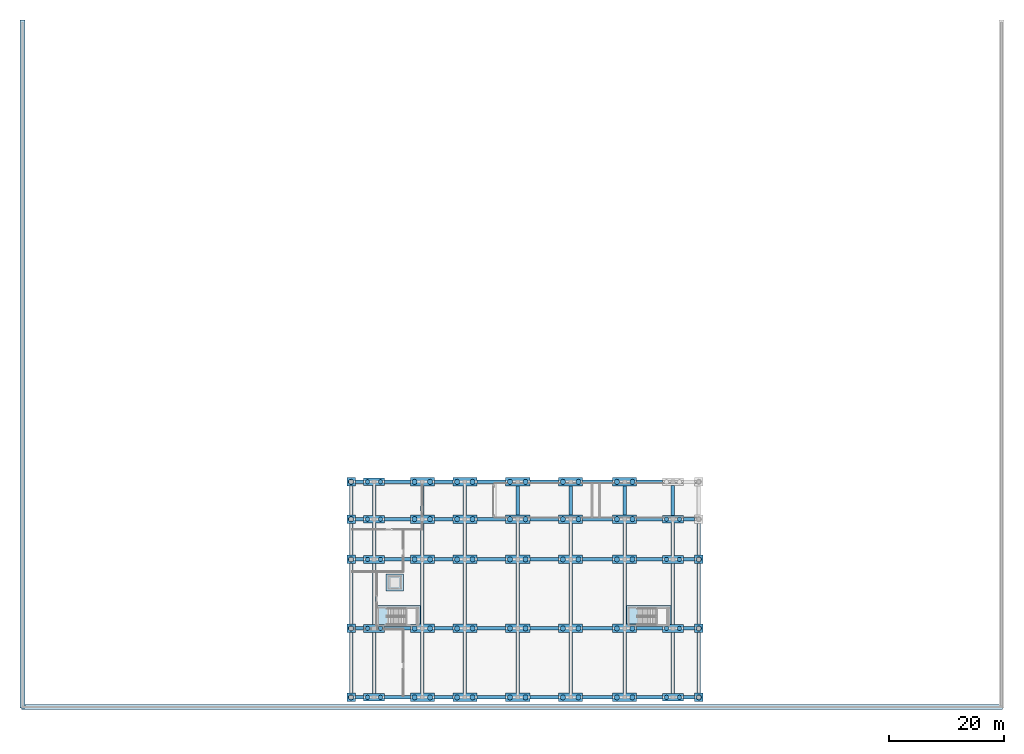
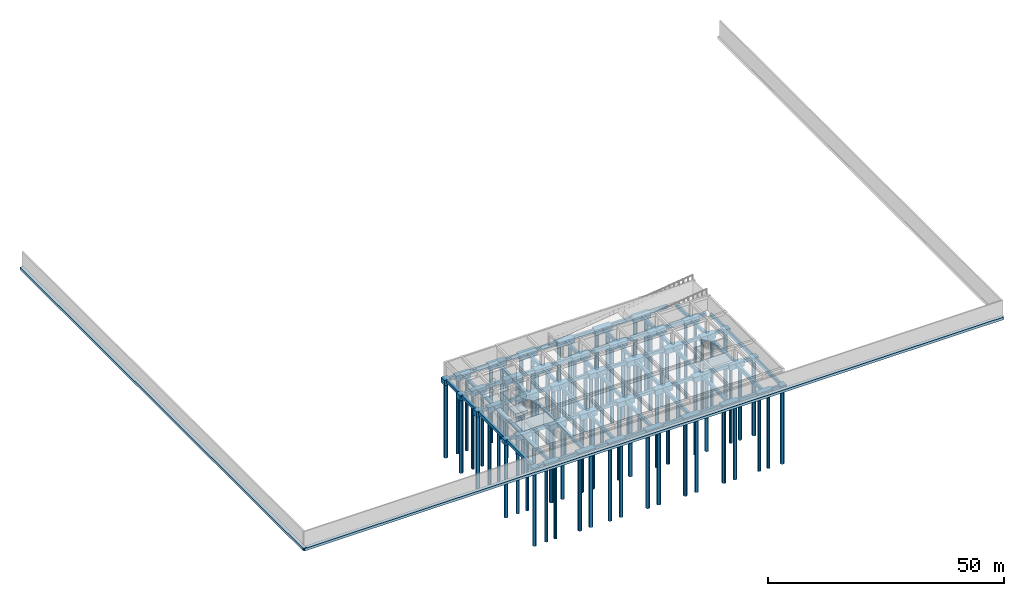
# One storey, part 1 of 10: 121 footings, 76 piles.
"""IFC4 building model written with IfcOpenShell, lengths in metres."""

from ifc_helpers import new_model, si_unit, direction, frame, origin, origin_2d, place, context, subcontext, project, spatial, rectangle, circle, extrude, material, material_profile, profile_set, type_object, element, save


model = new_model("IFC4")

# Units and contexts
model_context = context("Model", 3, precision=1e-05, world=origin(), true_north=direction((0.0, 1.0)))
body_context = subcontext(model_context, "Body", "Model", "MODEL_VIEW")
ifc_project = project(units=[si_unit("LENGTHUNIT", "METRE"), si_unit("AREAUNIT", "SQUARE_METRE"), si_unit("VOLUMEUNIT", "CUBIC_METRE"), si_unit("PLANEANGLEUNIT", "RADIAN"), si_unit("MASSUNIT", "GRAM", prefix="KILO")], contexts=[model_context])

# Site, building, storey
site_placement = place(None, origin())
site = spatial("IfcSite", under=ifc_project, at=site_placement, CompositionType="ELEMENT")
building_placement = place(site_placement, origin())
building = spatial("IfcBuilding", under=site, at=building_placement, Name="Kestramere Prow Commons", CompositionType="ELEMENT")
storey_placement = place(building_placement, frame((0.0, 0.0, -4.199951171875)))
storey = spatial("IfcBuildingStorey", under=building, at=storey_placement, Name="B1", CompositionType="ELEMENT", Elevation=-4.199951171875)

# Piles
ifc_material = material(Name="Concrete C35/45", Category="concrete")
ifc_material_profile_1 = material_profile(ifc_material, circle(Radius=0.375, at=origin_2d()), Name="BORED PILE D750")
ifc_profile_set_1 = profile_set([ifc_material_profile_1], Name="Concrete C35/45")
pile_type_1 = type_object("IfcPileType", Name="BP-750 BORED PILE D750", PredefinedType="BORED", material=ifc_profile_set_1)
for number, where, z_axis, x_axis, name in (
    (1, (58.875, 0.0, -1.60009765625), (0.0, 0.0, -1.0), (1.0, 0.0, 0.0), "Bored pile FC-B1-1-0-P1"),
    (2, (61.125, 0.0, -1.60009765625), (0.0, 0.0, -1.0), (1.0, 0.0, 0.0), "Bored pile FC-B1-1-0-P2"),
    (3, (58.875, 12.0, -1.60009765625), (0.0, 0.0, -1.0), (1.0, 0.0, 0.0), "Bored pile FC-B1-1-1-P1"),
    (4, (61.125, 12.0, -1.60009765625), (0.0, 0.0, -1.0), (1.0, 0.0, 0.0), "Bored pile FC-B1-1-1-P2"),
    (5, (58.875, 24.0, -1.60009765625), (0.0, 0.0, -1.0), (1.0, 0.0, 0.0), "Bored pile FC-B1-1-2-P1"),
    (6, (61.125, 24.0, -1.60009765625), (0.0, 0.0, -1.0), (1.0, 0.0, 0.0), "Bored pile FC-B1-1-2-P2"),
    (7, (58.875, 31.0, -1.60009765625), (0.0, 0.0, -1.0), (1.0, 0.0, 0.0), "Bored pile FC-B1-1-3-P1"),
    (8, (61.125, 31.0, -1.60009765625), (0.0, 0.0, -1.0), (1.0, 0.0, 0.0), "Bored pile FC-B1-1-3-P2"),
    (9, (58.875, 37.5, -1.60009765625), (0.0, 0.0, -1.0), (1.0, 0.0, 0.0), "Bored pile FC-B1-1-4-P1"),
    (10, (61.125, 37.5, -1.60009765625), (0.0, 0.0, -1.0), (1.0, 0.0, 0.0), "Bored pile FC-B1-1-4-P2"),
    (11, (110.875, 0.0, -1.60009765625), (0.0, 0.0, -1.0), (1.0, 0.0, 0.0), "Bored pile FC-B1-7-0-P1"),
    (12, (113.125, 0.0, -1.60009765625), (0.0, 0.0, -1.0), (1.0, 0.0, 0.0), "Bored pile FC-B1-7-0-P2"),
    (13, (110.875, 12.0, -1.60009765625), (0.0, 0.0, -1.0), (1.0, 0.0, 0.0), "Bored pile FC-B1-7-1-P1"),
    (14, (113.125, 12.0, -1.60009765625), (0.0, 0.0, -1.0), (1.0, 0.0, 0.0), "Bored pile FC-B1-7-1-P2"),
    (15, (110.875, 24.0, -1.60009765625), (0.0, 0.0, -1.0), (1.0, 0.0, 0.0), "Bored pile FC-B1-7-2-P1"),
    (16, (113.125, 24.0, -1.60009765625), (0.0, 0.0, -1.0), (1.0, 0.0, 0.0), "Bored pile FC-B1-7-2-P2"),
    (17, (110.875, 31.0, -1.60009765625), (0.0, 0.0, -1.0), (1.0, 0.0, 0.0), "Bored pile FC-B1-7-3-P1"),
    (18, (113.125, 31.0, -1.60009765625), (0.0, 0.0, -1.0), (1.0, 0.0, 0.0), "Bored pile FC-B1-7-3-P2"),
):
    element("IfcPile", number, at=place(storey_placement, frame(where, z_axis=z_axis, x_axis=x_axis)), inside=storey, type_object=pile_type_1, Name=name, PredefinedType="BORED", context=body_context, shape_type="SweptSolid", body=[
        extrude(circle(Radius=0.375, at=origin_2d()), origin(), (0.0, 0.0, 1.0), 19.199951171875),
    ])
ifc_material_profile_2 = material_profile(ifc_material, circle(Radius=0.449951171875, at=origin_2d()), Name="BORED PILE D900")
ifc_profile_set_2 = profile_set([ifc_material_profile_2], Name="Concrete C35/45")
pile_type_2 = type_object("IfcPileType", Name="BP-900 BORED PILE D900", PredefinedType="BORED", material=ifc_profile_set_2)
for number, where, z_axis, x_axis, name in (
    (19, (56.0, 0.0, -1.60009765625), (0.0, 0.0, -1.0), (1.0, 0.0, 0.0), "Bored pile FC-B1-0-0-P1"),
    (20, (56.0, 12.0, -1.60009765625), (0.0, 0.0, -1.0), (1.0, 0.0, 0.0), "Bored pile FC-B1-0-1-P1"),
    (21, (56.0, 24.0, -1.60009765625), (0.0, 0.0, -1.0), (1.0, 0.0, 0.0), "Bored pile FC-B1-0-2-P1"),
    (22, (56.0, 31.0, -1.60009765625), (0.0, 0.0, -1.0), (1.0, 0.0, 0.0), "Bored pile FC-B1-0-3-P1"),
    (23, (56.0, 37.5, -1.60009765625), (0.0, 0.0, -1.0), (1.0, 0.0, 0.0), "Bored pile FC-B1-0-4-P1"),
    (24, (67.050048828125, 0.0, -1.60009765625), (0.0, 0.0, -1.0), (1.0, 0.0, 0.0), "Bored pile FC-B1-2-0-P1"),
    (25, (69.75, 0.0, -1.60009765625), (0.0, 0.0, -1.0), (1.0, 0.0, 0.0), "Bored pile FC-B1-2-0-P2"),
    (26, (67.050048828125, 12.0, -1.60009765625), (0.0, 0.0, -1.0), (1.0, 0.0, 0.0), "Bored pile FC-B1-2-1-P1"),
    (27, (69.75, 12.0, -1.60009765625), (0.0, 0.0, -1.0), (1.0, 0.0, 0.0), "Bored pile FC-B1-2-1-P2"),
    (28, (67.050048828125, 24.0, -1.60009765625), (0.0, 0.0, -1.0), (1.0, 0.0, 0.0), "Bored pile FC-B1-2-2-P1"),
    (29, (69.75, 24.0, -1.60009765625), (0.0, 0.0, -1.0), (1.0, 0.0, 0.0), "Bored pile FC-B1-2-2-P2"),
    (30, (67.050048828125, 31.0, -1.60009765625), (0.0, 0.0, -1.0), (1.0, 0.0, 0.0), "Bored pile FC-B1-2-3-P1"),
    (31, (69.75, 31.0, -1.60009765625), (0.0, 0.0, -1.0), (1.0, 0.0, 0.0), "Bored pile FC-B1-2-3-P2"),
    (32, (67.050048828125, 37.5, -1.60009765625), (0.0, 0.0, -1.0), (1.0, 0.0, 0.0), "Bored pile FC-B1-2-4-P1"),
    (33, (69.75, 37.5, -1.60009765625), (0.0, 0.0, -1.0), (1.0, 0.0, 0.0), "Bored pile FC-B1-2-4-P2"),
    (34, (74.449951171875, 0.0, -1.60009765625), (0.0, 0.0, -1.0), (1.0, 0.0, 0.0), "Bored pile FC-B1-3-0-P1"),
    (35, (77.14990234375, 0.0, -1.60009765625), (0.0, 0.0, -1.0), (1.0, 0.0, 0.0), "Bored pile FC-B1-3-0-P2"),
    (36, (74.449951171875, 12.0, -1.60009765625), (0.0, 0.0, -1.0), (1.0, 0.0, 0.0), "Bored pile FC-B1-3-1-P1"),
    (37, (77.14990234375, 12.0, -1.60009765625), (0.0, 0.0, -1.0), (1.0, 0.0, 0.0), "Bored pile FC-B1-3-1-P2"),
    (38, (74.449951171875, 24.0, -1.60009765625), (0.0, 0.0, -1.0), (1.0, 0.0, 0.0), "Bored pile FC-B1-3-2-P1"),
    (39, (77.14990234375, 24.0, -1.60009765625), (0.0, 0.0, -1.0), (1.0, 0.0, 0.0), "Bored pile FC-B1-3-2-P2"),
    (40, (74.449951171875, 31.0, -1.60009765625), (0.0, 0.0, -1.0), (1.0, 0.0, 0.0), "Bored pile FC-B1-3-3-P1"),
    (41, (77.14990234375, 31.0, -1.60009765625), (0.0, 0.0, -1.0), (1.0, 0.0, 0.0), "Bored pile FC-B1-3-3-P2"),
    (42, (74.449951171875, 37.5, -1.60009765625), (0.0, 0.0, -1.0), (1.0, 0.0, 0.0), "Bored pile FC-B1-3-4-P1"),
    (43, (77.14990234375, 37.5, -1.60009765625), (0.0, 0.0, -1.0), (1.0, 0.0, 0.0), "Bored pile FC-B1-3-4-P2"),
    (44, (83.64990234375, 0.0, -1.60009765625), (0.0, 0.0, -1.0), (1.0, 0.0, 0.0), "Bored pile FC-B1-4-0-P1"),
    (45, (86.35009765625, 0.0, -1.60009765625), (0.0, 0.0, -1.0), (1.0, 0.0, 0.0), "Bored pile FC-B1-4-0-P2"),
    (46, (83.64990234375, 12.0, -1.60009765625), (0.0, 0.0, -1.0), (1.0, 0.0, 0.0), "Bored pile FC-B1-4-1-P1"),
    (47, (86.35009765625, 12.0, -1.60009765625), (0.0, 0.0, -1.0), (1.0, 0.0, 0.0), "Bored pile FC-B1-4-1-P2"),
    (48, (83.64990234375, 24.0, -1.60009765625), (0.0, 0.0, -1.0), (1.0, 0.0, 0.0), "Bored pile FC-B1-4-2-P1"),
    (49, (86.35009765625, 24.0, -1.60009765625), (0.0, 0.0, -1.0), (1.0, 0.0, 0.0), "Bored pile FC-B1-4-2-P2"),
    (50, (83.64990234375, 31.0, -1.60009765625), (0.0, 0.0, -1.0), (1.0, 0.0, 0.0), "Bored pile FC-B1-4-3-P1"),
    (51, (86.35009765625, 31.0, -1.60009765625), (0.0, 0.0, -1.0), (1.0, 0.0, 0.0), "Bored pile FC-B1-4-3-P2"),
    (52, (83.64990234375, 37.5, -1.60009765625), (0.0, 0.0, -1.0), (1.0, 0.0, 0.0), "Bored pile FC-B1-4-4-P1"),
    (53, (86.35009765625, 37.5, -1.60009765625), (0.0, 0.0, -1.0), (1.0, 0.0, 0.0), "Bored pile FC-B1-4-4-P2"),
    (54, (92.85009765625, 0.0, -1.60009765625), (0.0, 0.0, -1.0), (1.0, 0.0, 0.0), "Bored pile FC-B1-5-0-P1"),
    (55, (95.550048828125, 0.0, -1.60009765625), (0.0, 0.0, -1.0), (1.0, 0.0, 0.0), "Bored pile FC-B1-5-0-P2"),
    (56, (92.85009765625, 12.0, -1.60009765625), (0.0, 0.0, -1.0), (1.0, 0.0, 0.0), "Bored pile FC-B1-5-1-P1"),
    (57, (95.550048828125, 12.0, -1.60009765625), (0.0, 0.0, -1.0), (1.0, 0.0, 0.0), "Bored pile FC-B1-5-1-P2"),
    (58, (92.85009765625, 24.0, -1.60009765625), (0.0, 0.0, -1.0), (1.0, 0.0, 0.0), "Bored pile FC-B1-5-2-P1"),
    (59, (95.550048828125, 24.0, -1.60009765625), (0.0, 0.0, -1.0), (1.0, 0.0, 0.0), "Bored pile FC-B1-5-2-P2"),
    (60, (92.85009765625, 31.0, -1.60009765625), (0.0, 0.0, -1.0), (1.0, 0.0, 0.0), "Bored pile FC-B1-5-3-P1"),
    (61, (95.550048828125, 31.0, -1.60009765625), (0.0, 0.0, -1.0), (1.0, 0.0, 0.0), "Bored pile FC-B1-5-3-P2"),
    (62, (92.85009765625, 37.5, -1.60009765625), (0.0, 0.0, -1.0), (1.0, 0.0, 0.0), "Bored pile FC-B1-5-4-P1"),
    (63, (95.550048828125, 37.5, -1.60009765625), (0.0, 0.0, -1.0), (1.0, 0.0, 0.0), "Bored pile FC-B1-5-4-P2"),
    (64, (102.25, 0.0, -1.60009765625), (0.0, 0.0, -1.0), (1.0, 0.0, 0.0), "Bored pile FC-B1-6-0-P1"),
    (65, (104.949951171875, 0.0, -1.60009765625), (0.0, 0.0, -1.0), (1.0, 0.0, 0.0), "Bored pile FC-B1-6-0-P2"),
    (66, (102.25, 12.0, -1.60009765625), (0.0, 0.0, -1.0), (1.0, 0.0, 0.0), "Bored pile FC-B1-6-1-P1"),
    (67, (104.949951171875, 12.0, -1.60009765625), (0.0, 0.0, -1.0), (1.0, 0.0, 0.0), "Bored pile FC-B1-6-1-P2"),
    (68, (102.25, 24.0, -1.60009765625), (0.0, 0.0, -1.0), (1.0, 0.0, 0.0), "Bored pile FC-B1-6-2-P1"),
    (69, (104.949951171875, 24.0, -1.60009765625), (0.0, 0.0, -1.0), (1.0, 0.0, 0.0), "Bored pile FC-B1-6-2-P2"),
    (70, (102.25, 31.0, -1.60009765625), (0.0, 0.0, -1.0), (1.0, 0.0, 0.0), "Bored pile FC-B1-6-3-P1"),
    (71, (104.949951171875, 31.0, -1.60009765625), (0.0, 0.0, -1.0), (1.0, 0.0, 0.0), "Bored pile FC-B1-6-3-P2"),
    (72, (102.25, 37.5, -1.60009765625), (0.0, 0.0, -1.0), (1.0, 0.0, 0.0), "Bored pile FC-B1-6-4-P1"),
    (73, (104.949951171875, 37.5, -1.60009765625), (0.0, 0.0, -1.0), (1.0, 0.0, 0.0), "Bored pile FC-B1-6-4-P2"),
    (74, (116.5, 0.0, -1.60009765625), (0.0, 0.0, -1.0), (1.0, 0.0, 0.0), "Bored pile FC-B1-8-0-P1"),
    (75, (116.5, 12.0, -1.60009765625), (0.0, 0.0, -1.0), (1.0, 0.0, 0.0), "Bored pile FC-B1-8-1-P1"),
    (76, (116.5, 24.0, -1.60009765625), (0.0, 0.0, -1.0), (1.0, 0.0, 0.0), "Bored pile FC-B1-8-2-P1"),
):
    element("IfcPile", number, at=place(storey_placement, frame(where, z_axis=z_axis, x_axis=x_axis)), inside=storey, type_object=pile_type_2, Name=name, PredefinedType="BORED", context=body_context, shape_type="SweptSolid", body=[
        extrude(circle(Radius=0.449951171875, at=origin_2d()), origin(), (0.0, 0.0, 1.0), 19.199951171875),
    ])

# Footings
footing_type_1 = type_object("IfcFootingType", Name="FT-CORE-STRIP", PredefinedType="STRIP_FOOTING", material=ifc_material)
for number, where, z_axis, x_axis, name in (
    (77, (64.199951171875, 14.074951171875, -1.14990234375), (0.0, 0.0, 1.0), (1.0, 0.0, 0.0), "ST-M1 Footing"),
    (78, (107.800048828125, 14.074951171875, -1.14990234375), (0.0, 0.0, 1.0), (1.0, 0.0, 0.0), "ST-M2 Footing"),
):
    element("IfcFooting", number, at=place(storey_placement, frame(where, z_axis=z_axis, x_axis=x_axis)), inside=storey, type_object=footing_type_1, Name=name, PredefinedType="STRIP_FOOTING", context=body_context, shape_type="SweptSolid", body=[
        extrude(rectangle(XDim=7.699951171875, YDim=3.75, at=origin_2d()), origin(), (0.0, 0.0, 1.0), 0.800048828125),
    ])
footing_1_placement = place(storey_placement, frame((63.60009765625, 20.0, -1.14990234375), z_axis=(0.0, 0.0, 1.0), x_axis=(1.0, 0.0, 0.0)))
element("IfcFooting", 79, at=footing_1_placement, inside=storey, type_object=footing_type_1, Name="PL-S1 Lift Footing", PredefinedType="STRIP_FOOTING", context=body_context, shape_type="SweptSolid", body=[
    extrude(rectangle(XDim=3.0, YDim=3.0, at=origin_2d()), origin(), (0.0, 0.0, 1.0), 0.800048828125),
])
footing_type_2 = type_object("IfcFootingType", Name="FT-PLINTH-STRIP", PredefinedType="STRIP_FOOTING", material=ifc_material)
footing_2_placement = place(storey_placement, frame((84.0, -1.675048828125, -1.0), z_axis=(0.0, 0.0, 1.0), x_axis=(1.0, 0.0, 0.0)))
element("IfcFooting", 80, at=footing_2_placement, inside=storey, type_object=footing_type_2, Name="Perimeter Subterranean Plinth Strip Footing S", PredefinedType="STRIP_FOOTING", context=body_context, shape_type="SweptSolid", body=[
    extrude(rectangle(XDim=170.699951171875, YDim=0.85009765625, at=origin_2d()), origin(), (0.0, 0.0, 1.0), 0.64990234375),
])
footing_3_placement = place(storey_placement, frame((-1.175048828125, 58.0, -1.0), z_axis=(0.0, 0.0, 1.0), x_axis=(1.0, 0.0, 0.0)))
element("IfcFooting", 81, at=footing_3_placement, inside=storey, type_object=footing_type_2, Name="Perimeter Subterranean Plinth Strip Footing W", PredefinedType="STRIP_FOOTING", context=body_context, shape_type="SweptSolid", body=[
    extrude(rectangle(XDim=0.85009765625, YDim=119.699951171875, at=origin_2d()), origin(), (0.0, 0.0, 1.0), 0.64990234375),
])
footing_type_3 = type_object("IfcFootingType", Name="GB-07 600x800 L4500", PredefinedType="FOOTING_BEAM", material=ifc_material)
for number, where, z_axis, x_axis, name in (
    (82, (64.050048828125, 0.0, -1.14990234375), (0.0, 0.0, 1.0), (1.0, 0.0, 0.0), "Foundation ground beam GBU-B1-1-0"),
    (83, (64.050048828125, 12.0, -1.14990234375), (0.0, 0.0, 1.0), (1.0, 0.0, 0.0), "Foundation ground beam GBU-B1-1-1"),
    (84, (64.050048828125, 24.0, -1.14990234375), (0.0, 0.0, 1.0), (1.0, 0.0, 0.0), "Foundation ground beam GBU-B1-1-2"),
    (85, (64.050048828125, 31.0, -1.14990234375), (0.0, 0.0, 1.0), (1.0, 0.0, 0.0), "Foundation ground beam GBU-B1-1-3"),
    (86, (64.050048828125, 37.5, -1.14990234375), (0.0, 0.0, 1.0), (1.0, 0.0, 0.0), "Foundation ground beam GBU-B1-1-4"),
    (87, (107.949951171875, 0.0, -1.14990234375), (0.0, 0.0, 1.0), (1.0, 0.0, 0.0), "Foundation ground beam GBU-B1-6-0"),
    (88, (107.949951171875, 12.0, -1.14990234375), (0.0, 0.0, 1.0), (1.0, 0.0, 0.0), "Foundation ground beam GBU-B1-6-1"),
    (89, (107.949951171875, 24.0, -1.14990234375), (0.0, 0.0, 1.0), (1.0, 0.0, 0.0), "Foundation ground beam GBU-B1-6-2"),
    (90, (107.949951171875, 31.0, -1.14990234375), (0.0, 0.0, 1.0), (1.0, 0.0, 0.0), "Foundation ground beam GBU-B1-6-3"),
    (91, (107.949951171875, 37.5, -1.14990234375), (0.0, 0.0, 1.0), (1.0, 0.0, 0.0), "Foundation ground beam GBU-B1-6-4"),
):
    element("IfcFooting", number, at=place(storey_placement, frame(where, z_axis=z_axis, x_axis=x_axis)), inside=storey, type_object=footing_type_3, Name=name, PredefinedType="FOOTING_BEAM", context=body_context, shape_type="SweptSolid", body=[
        extrude(rectangle(XDim=4.5, YDim=0.60009765625, at=origin_2d()), origin(), (0.0, 0.0, 1.0), 0.800048828125),
    ])
footing_type_4 = type_object("IfcFootingType", Name="GB-11 600x800 L3200", PredefinedType="FOOTING_BEAM", material=ifc_material)
for number, where, z_axis, x_axis, name in (
    (92, (72.10009765625, 0.0, -1.14990234375), (0.0, 0.0, 1.0), (1.0, 0.0, 0.0), "Foundation ground beam GBU-B1-2-0"),
    (93, (72.10009765625, 12.0, -1.14990234375), (0.0, 0.0, 1.0), (1.0, 0.0, 0.0), "Foundation ground beam GBU-B1-2-1"),
    (94, (72.10009765625, 24.0, -1.14990234375), (0.0, 0.0, 1.0), (1.0, 0.0, 0.0), "Foundation ground beam GBU-B1-2-2"),
    (95, (72.10009765625, 31.0, -1.14990234375), (0.0, 0.0, 1.0), (1.0, 0.0, 0.0), "Foundation ground beam GBU-B1-2-3"),
    (96, (72.10009765625, 37.5, -1.14990234375), (0.0, 0.0, 1.0), (1.0, 0.0, 0.0), "Foundation ground beam GBU-B1-2-4"),
):
    element("IfcFooting", number, at=place(storey_placement, frame(where, z_axis=z_axis, x_axis=x_axis)), inside=storey, type_object=footing_type_4, Name=name, PredefinedType="FOOTING_BEAM", context=body_context, shape_type="SweptSolid", body=[
        extrude(rectangle(XDim=3.199951171875, YDim=0.60009765625, at=origin_2d()), origin(), (0.0, 0.0, 1.0), 0.800048828125),
    ])
footing_type_5 = type_object("IfcFootingType", Name="GB-28 600x800 L1450", PredefinedType="FOOTING_BEAM", material=ifc_material)
for number, where, z_axis, x_axis, name in (
    (97, (57.47509765625, 0.0, -1.14990234375), (0.0, 0.0, 1.0), (1.0, 0.0, 0.0), "Foundation ground beam GBU-B1-0-0"),
    (98, (57.47509765625, 12.0, -1.14990234375), (0.0, 0.0, 1.0), (1.0, 0.0, 0.0), "Foundation ground beam GBU-B1-0-1"),
    (99, (57.47509765625, 24.0, -1.14990234375), (0.0, 0.0, 1.0), (1.0, 0.0, 0.0), "Foundation ground beam GBU-B1-0-2"),
    (100, (57.47509765625, 31.0, -1.14990234375), (0.0, 0.0, 1.0), (1.0, 0.0, 0.0), "Foundation ground beam GBU-B1-0-3"),
    (101, (57.47509765625, 37.5, -1.14990234375), (0.0, 0.0, 1.0), (1.0, 0.0, 0.0), "Foundation ground beam GBU-B1-0-4"),
):
    element("IfcFooting", number, at=place(storey_placement, frame(where, z_axis=z_axis, x_axis=x_axis)), inside=storey, type_object=footing_type_5, Name=name, PredefinedType="FOOTING_BEAM", context=body_context, shape_type="SweptSolid", body=[
        extrude(rectangle(XDim=1.449951171875, YDim=0.60009765625, at=origin_2d()), origin(), (0.0, 0.0, 1.0), 0.800048828125),
    ])
footing_type_6 = type_object("IfcFootingType", Name="GB-29 600x800 L5000", PredefinedType="FOOTING_BEAM", material=ifc_material)
for number, where, z_axis, x_axis, name in (
    (102, (80.39990234375, 0.0, -1.14990234375), (0.0, 0.0, 1.0), (1.0, 0.0, 0.0), "Foundation ground beam GBU-B1-3-0"),
    (103, (80.39990234375, 12.0, -1.14990234375), (0.0, 0.0, 1.0), (1.0, 0.0, 0.0), "Foundation ground beam GBU-B1-3-1"),
    (104, (80.39990234375, 24.0, -1.14990234375), (0.0, 0.0, 1.0), (1.0, 0.0, 0.0), "Foundation ground beam GBU-B1-3-2"),
    (105, (80.39990234375, 31.0, -1.14990234375), (0.0, 0.0, 1.0), (1.0, 0.0, 0.0), "Foundation ground beam GBU-B1-3-3"),
    (106, (80.39990234375, 37.5, -1.14990234375), (0.0, 0.0, 1.0), (1.0, 0.0, 0.0), "Foundation ground beam GBU-B1-3-4"),
    (107, (89.60009765625, 0.0, -1.14990234375), (0.0, 0.0, 1.0), (1.0, 0.0, 0.0), "Foundation ground beam GBU-B1-4-0"),
    (108, (89.60009765625, 12.0, -1.14990234375), (0.0, 0.0, 1.0), (1.0, 0.0, 0.0), "Foundation ground beam GBU-B1-4-1"),
    (109, (89.60009765625, 24.0, -1.14990234375), (0.0, 0.0, 1.0), (1.0, 0.0, 0.0), "Foundation ground beam GBU-B1-4-2"),
    (110, (89.60009765625, 31.0, -1.14990234375), (0.0, 0.0, 1.0), (1.0, 0.0, 0.0), "Foundation ground beam GBU-B1-4-3"),
    (111, (89.60009765625, 37.5, -1.14990234375), (0.0, 0.0, 1.0), (1.0, 0.0, 0.0), "Foundation ground beam GBU-B1-4-4"),
    (112, (56.0, 34.25, -1.14990234375), (0.0, 0.0, 1.0), (0.0, 1.0, 0.0), "Foundation ground beam GBV-B1-0-3"),
    (113, (68.39990234375, 34.25, -1.14990234375), (0.0, 0.0, 1.0), (0.0, 1.0, 0.0), "Foundation ground beam GBV-B1-2-3"),
    (114, (75.800048828125, 34.25, -1.14990234375), (0.0, 0.0, 1.0), (0.0, 1.0, 0.0), "Foundation ground beam GBV-B1-3-3"),
    (115, (85.0, 34.25, -1.14990234375), (0.0, 0.0, 1.0), (0.0, 1.0, 0.0), "Foundation ground beam GBV-B1-4-3"),
    (116, (94.199951171875, 34.25, -1.14990234375), (0.0, 0.0, 1.0), (0.0, 1.0, 0.0), "Foundation ground beam GBV-B1-5-3"),
    (117, (103.60009765625, 34.25, -1.14990234375), (0.0, 0.0, 1.0), (0.0, 1.0, 0.0), "Foundation ground beam GBV-B1-6-3"),
):
    element("IfcFooting", number, at=place(storey_placement, frame(where, z_axis=z_axis, x_axis=x_axis)), inside=storey, type_object=footing_type_6, Name=name, PredefinedType="FOOTING_BEAM", context=body_context, shape_type="SweptSolid", body=[
        extrude(rectangle(XDim=5.0, YDim=0.60009765625, at=origin_2d()), origin(), (0.0, 0.0, 1.0), 0.800048828125),
    ])
footing_type_7 = type_object("IfcFootingType", Name="GB-30 600x800 L5200", PredefinedType="FOOTING_BEAM", material=ifc_material)
for number, where, z_axis, x_axis, name in (
    (118, (98.89990234375, 0.0, -1.14990234375), (0.0, 0.0, 1.0), (1.0, 0.0, 0.0), "Foundation ground beam GBU-B1-5-0"),
    (119, (98.89990234375, 12.0, -1.14990234375), (0.0, 0.0, 1.0), (1.0, 0.0, 0.0), "Foundation ground beam GBU-B1-5-1"),
    (120, (98.89990234375, 24.0, -1.14990234375), (0.0, 0.0, 1.0), (1.0, 0.0, 0.0), "Foundation ground beam GBU-B1-5-2"),
    (121, (98.89990234375, 31.0, -1.14990234375), (0.0, 0.0, 1.0), (1.0, 0.0, 0.0), "Foundation ground beam GBU-B1-5-3"),
    (122, (98.89990234375, 37.5, -1.14990234375), (0.0, 0.0, 1.0), (1.0, 0.0, 0.0), "Foundation ground beam GBU-B1-5-4"),
):
    element("IfcFooting", number, at=place(storey_placement, frame(where, z_axis=z_axis, x_axis=x_axis)), inside=storey, type_object=footing_type_7, Name=name, PredefinedType="FOOTING_BEAM", context=body_context, shape_type="SweptSolid", body=[
        extrude(rectangle(XDim=5.199951171875, YDim=0.60009765625, at=origin_2d()), origin(), (0.0, 0.0, 1.0), 0.800048828125),
    ])
footing_type_8 = type_object("IfcFootingType", Name="GB-31 600x800 L1950", PredefinedType="FOOTING_BEAM", material=ifc_material)
for number, where, z_axis, x_axis, name in (
    (123, (114.77490234375, 0.0, -1.14990234375), (0.0, 0.0, 1.0), (1.0, 0.0, 0.0), "Foundation ground beam GBU-B1-7-0"),
    (124, (114.77490234375, 12.0, -1.14990234375), (0.0, 0.0, 1.0), (1.0, 0.0, 0.0), "Foundation ground beam GBU-B1-7-1"),
    (125, (114.77490234375, 24.0, -1.14990234375), (0.0, 0.0, 1.0), (1.0, 0.0, 0.0), "Foundation ground beam GBU-B1-7-2"),
    (126, (114.77490234375, 31.0, -1.14990234375), (0.0, 0.0, 1.0), (1.0, 0.0, 0.0), "Foundation ground beam GBU-B1-7-3"),
):
    element("IfcFooting", number, at=place(storey_placement, frame(where, z_axis=z_axis, x_axis=x_axis)), inside=storey, type_object=footing_type_8, Name=name, PredefinedType="FOOTING_BEAM", context=body_context, shape_type="SweptSolid", body=[
        extrude(rectangle(XDim=1.949951171875, YDim=0.60009765625, at=origin_2d()), origin(), (0.0, 0.0, 1.0), 0.800048828125),
    ])
footing_type_9 = type_object("IfcFootingType", Name="GB-32 600x800 L10500", PredefinedType="FOOTING_BEAM", material=ifc_material)
for number, where, z_axis, x_axis, name in (
    (127, (56.0, 6.0, -1.14990234375), (0.0, 0.0, 1.0), (0.0, 1.0, 0.0), "Foundation ground beam GBV-B1-0-0"),
    (128, (56.0, 18.0, -1.14990234375), (0.0, 0.0, 1.0), (0.0, 1.0, 0.0), "Foundation ground beam GBV-B1-0-1"),
    (129, (68.39990234375, 6.0, -1.14990234375), (0.0, 0.0, 1.0), (0.0, 1.0, 0.0), "Foundation ground beam GBV-B1-2-0"),
    (130, (68.39990234375, 18.0, -1.14990234375), (0.0, 0.0, 1.0), (0.0, 1.0, 0.0), "Foundation ground beam GBV-B1-2-1"),
    (131, (75.800048828125, 6.0, -1.14990234375), (0.0, 0.0, 1.0), (0.0, 1.0, 0.0), "Foundation ground beam GBV-B1-3-0"),
    (132, (75.800048828125, 18.0, -1.14990234375), (0.0, 0.0, 1.0), (0.0, 1.0, 0.0), "Foundation ground beam GBV-B1-3-1"),
    (133, (85.0, 6.0, -1.14990234375), (0.0, 0.0, 1.0), (0.0, 1.0, 0.0), "Foundation ground beam GBV-B1-4-0"),
    (134, (85.0, 18.0, -1.14990234375), (0.0, 0.0, 1.0), (0.0, 1.0, 0.0), "Foundation ground beam GBV-B1-4-1"),
    (135, (94.199951171875, 6.0, -1.14990234375), (0.0, 0.0, 1.0), (0.0, 1.0, 0.0), "Foundation ground beam GBV-B1-5-0"),
    (136, (94.199951171875, 18.0, -1.14990234375), (0.0, 0.0, 1.0), (0.0, 1.0, 0.0), "Foundation ground beam GBV-B1-5-1"),
    (137, (103.60009765625, 6.0, -1.14990234375), (0.0, 0.0, 1.0), (0.0, 1.0, 0.0), "Foundation ground beam GBV-B1-6-0"),
    (138, (103.60009765625, 18.0, -1.14990234375), (0.0, 0.0, 1.0), (0.0, 1.0, 0.0), "Foundation ground beam GBV-B1-6-1"),
    (139, (116.5, 6.0, -1.14990234375), (0.0, 0.0, 1.0), (0.0, 1.0, 0.0), "Foundation ground beam GBV-B1-8-0"),
    (140, (116.5, 18.0, -1.14990234375), (0.0, 0.0, 1.0), (0.0, 1.0, 0.0), "Foundation ground beam GBV-B1-8-1"),
):
    element("IfcFooting", number, at=place(storey_placement, frame(where, z_axis=z_axis, x_axis=x_axis)), inside=storey, type_object=footing_type_9, Name=name, PredefinedType="FOOTING_BEAM", context=body_context, shape_type="SweptSolid", body=[
        extrude(rectangle(XDim=10.5, YDim=0.60009765625, at=origin_2d()), origin(), (0.0, 0.0, 1.0), 0.800048828125),
    ])
footing_type_10 = type_object("IfcFootingType", Name="GB-33 600x800 L5500", PredefinedType="FOOTING_BEAM", material=ifc_material)
for number, where, z_axis, x_axis, name in (
    (141, (56.0, 27.5, -1.14990234375), (0.0, 0.0, 1.0), (0.0, 1.0, 0.0), "Foundation ground beam GBV-B1-0-2"),
    (142, (68.39990234375, 27.5, -1.14990234375), (0.0, 0.0, 1.0), (0.0, 1.0, 0.0), "Foundation ground beam GBV-B1-2-2"),
    (143, (75.800048828125, 27.5, -1.14990234375), (0.0, 0.0, 1.0), (0.0, 1.0, 0.0), "Foundation ground beam GBV-B1-3-2"),
    (144, (85.0, 27.5, -1.14990234375), (0.0, 0.0, 1.0), (0.0, 1.0, 0.0), "Foundation ground beam GBV-B1-4-2"),
    (145, (94.199951171875, 27.5, -1.14990234375), (0.0, 0.0, 1.0), (0.0, 1.0, 0.0), "Foundation ground beam GBV-B1-5-2"),
    (146, (103.60009765625, 27.5, -1.14990234375), (0.0, 0.0, 1.0), (0.0, 1.0, 0.0), "Foundation ground beam GBV-B1-6-2"),
    (147, (116.5, 27.5, -1.14990234375), (0.0, 0.0, 1.0), (0.0, 1.0, 0.0), "Foundation ground beam GBV-B1-8-2"),
):
    element("IfcFooting", number, at=place(storey_placement, frame(where, z_axis=z_axis, x_axis=x_axis)), inside=storey, type_object=footing_type_10, Name=name, PredefinedType="FOOTING_BEAM", context=body_context, shape_type="SweptSolid", body=[
        extrude(rectangle(XDim=5.5, YDim=0.60009765625, at=origin_2d()), origin(), (0.0, 0.0, 1.0), 0.800048828125),
    ])
footing_type_11 = type_object("IfcFootingType", Name="GB-34 600x800 L10650", PredefinedType="FOOTING_BEAM", material=ifc_material)
for number, where, z_axis, x_axis, name in (
    (148, (60.0, 6.0, -1.14990234375), (0.0, 0.0, 1.0), (0.0, 1.0, 0.0), "Foundation ground beam GBV-B1-1-0"),
    (149, (60.0, 18.0, -1.14990234375), (0.0, 0.0, 1.0), (0.0, 1.0, 0.0), "Foundation ground beam GBV-B1-1-1"),
    (150, (112.0, 6.0, -1.14990234375), (0.0, 0.0, 1.0), (0.0, 1.0, 0.0), "Foundation ground beam GBV-B1-7-0"),
    (151, (112.0, 18.0, -1.14990234375), (0.0, 0.0, 1.0), (0.0, 1.0, 0.0), "Foundation ground beam GBV-B1-7-1"),
):
    element("IfcFooting", number, at=place(storey_placement, frame(where, z_axis=z_axis, x_axis=x_axis)), inside=storey, type_object=footing_type_11, Name=name, PredefinedType="FOOTING_BEAM", context=body_context, shape_type="SweptSolid", body=[
        extrude(rectangle(XDim=10.64990234375, YDim=0.60009765625, at=origin_2d()), origin(), (0.0, 0.0, 1.0), 0.800048828125),
    ])
footing_type_12 = type_object("IfcFootingType", Name="GB-35 600x800 L5650", PredefinedType="FOOTING_BEAM", material=ifc_material)
for number, where, z_axis, x_axis, name in (
    (152, (60.0, 27.5, -1.14990234375), (0.0, 0.0, 1.0), (0.0, 1.0, 0.0), "Foundation ground beam GBV-B1-1-2"),
    (153, (112.0, 27.5, -1.14990234375), (0.0, 0.0, 1.0), (0.0, 1.0, 0.0), "Foundation ground beam GBV-B1-7-2"),
):
    element("IfcFooting", number, at=place(storey_placement, frame(where, z_axis=z_axis, x_axis=x_axis)), inside=storey, type_object=footing_type_12, Name=name, PredefinedType="FOOTING_BEAM", context=body_context, shape_type="SweptSolid", body=[
        extrude(rectangle(XDim=5.64990234375, YDim=0.60009765625, at=origin_2d()), origin(), (0.0, 0.0, 1.0), 0.800048828125),
    ])
footing_type_13 = type_object("IfcFootingType", Name="GB-36 600x800 L5150", PredefinedType="FOOTING_BEAM", material=ifc_material)
for number, where, z_axis, x_axis, name in (
    (154, (60.0, 34.25, -1.14990234375), (0.0, 0.0, 1.0), (0.0, 1.0, 0.0), "Foundation ground beam GBV-B1-1-3"),
    (155, (112.0, 34.25, -1.14990234375), (0.0, 0.0, 1.0), (0.0, 1.0, 0.0), "Foundation ground beam GBV-B1-7-3"),
):
    element("IfcFooting", number, at=place(storey_placement, frame(where, z_axis=z_axis, x_axis=x_axis)), inside=storey, type_object=footing_type_13, Name=name, PredefinedType="FOOTING_BEAM", context=body_context, shape_type="SweptSolid", body=[
        extrude(rectangle(XDim=5.14990234375, YDim=0.60009765625, at=origin_2d()), origin(), (0.0, 0.0, 1.0), 0.800048828125),
    ])
footing_type_14 = type_object("IfcFootingType", Name="PC-07 4200x1500x1350", PredefinedType="PILE_CAP", material=ifc_material)
for number, where, z_axis, x_axis, name in (
    (156, (68.39990234375, 0.0, -1.7001953125), (0.0, 0.0, 1.0), (1.0, 0.0, 0.0), "Pile cap FC-B1-2-0"),
    (157, (68.39990234375, 12.0, -1.7001953125), (0.0, 0.0, 1.0), (1.0, 0.0, 0.0), "Pile cap FC-B1-2-1"),
    (158, (68.39990234375, 24.0, -1.7001953125), (0.0, 0.0, 1.0), (1.0, 0.0, 0.0), "Pile cap FC-B1-2-2"),
    (159, (68.39990234375, 31.0, -1.7001953125), (0.0, 0.0, 1.0), (1.0, 0.0, 0.0), "Pile cap FC-B1-2-3"),
    (160, (68.39990234375, 37.5, -1.7001953125), (0.0, 0.0, 1.0), (1.0, 0.0, 0.0), "Pile cap FC-B1-2-4"),
    (161, (75.800048828125, 0.0, -1.7001953125), (0.0, 0.0, 1.0), (1.0, 0.0, 0.0), "Pile cap FC-B1-3-0"),
    (162, (75.800048828125, 12.0, -1.7001953125), (0.0, 0.0, 1.0), (1.0, 0.0, 0.0), "Pile cap FC-B1-3-1"),
    (163, (75.800048828125, 24.0, -1.7001953125), (0.0, 0.0, 1.0), (1.0, 0.0, 0.0), "Pile cap FC-B1-3-2"),
    (164, (75.800048828125, 31.0, -1.7001953125), (0.0, 0.0, 1.0), (1.0, 0.0, 0.0), "Pile cap FC-B1-3-3"),
    (165, (75.800048828125, 37.5, -1.7001953125), (0.0, 0.0, 1.0), (1.0, 0.0, 0.0), "Pile cap FC-B1-3-4"),
    (166, (85.0, 0.0, -1.7001953125), (0.0, 0.0, 1.0), (1.0, 0.0, 0.0), "Pile cap FC-B1-4-0"),
    (167, (85.0, 12.0, -1.7001953125), (0.0, 0.0, 1.0), (1.0, 0.0, 0.0), "Pile cap FC-B1-4-1"),
    (168, (85.0, 24.0, -1.7001953125), (0.0, 0.0, 1.0), (1.0, 0.0, 0.0), "Pile cap FC-B1-4-2"),
    (169, (85.0, 31.0, -1.7001953125), (0.0, 0.0, 1.0), (1.0, 0.0, 0.0), "Pile cap FC-B1-4-3"),
    (170, (85.0, 37.5, -1.7001953125), (0.0, 0.0, 1.0), (1.0, 0.0, 0.0), "Pile cap FC-B1-4-4"),
    (171, (94.199951171875, 0.0, -1.7001953125), (0.0, 0.0, 1.0), (1.0, 0.0, 0.0), "Pile cap FC-B1-5-0"),
    (172, (94.199951171875, 12.0, -1.7001953125), (0.0, 0.0, 1.0), (1.0, 0.0, 0.0), "Pile cap FC-B1-5-1"),
    (173, (94.199951171875, 24.0, -1.7001953125), (0.0, 0.0, 1.0), (1.0, 0.0, 0.0), "Pile cap FC-B1-5-2"),
    (174, (94.199951171875, 31.0, -1.7001953125), (0.0, 0.0, 1.0), (1.0, 0.0, 0.0), "Pile cap FC-B1-5-3"),
    (175, (94.199951171875, 37.5, -1.7001953125), (0.0, 0.0, 1.0), (1.0, 0.0, 0.0), "Pile cap FC-B1-5-4"),
    (176, (103.60009765625, 0.0, -1.7001953125), (0.0, 0.0, 1.0), (1.0, 0.0, 0.0), "Pile cap FC-B1-6-0"),
    (177, (103.60009765625, 12.0, -1.7001953125), (0.0, 0.0, 1.0), (1.0, 0.0, 0.0), "Pile cap FC-B1-6-1"),
    (178, (103.60009765625, 24.0, -1.7001953125), (0.0, 0.0, 1.0), (1.0, 0.0, 0.0), "Pile cap FC-B1-6-2"),
    (179, (103.60009765625, 31.0, -1.7001953125), (0.0, 0.0, 1.0), (1.0, 0.0, 0.0), "Pile cap FC-B1-6-3"),
    (180, (103.60009765625, 37.5, -1.7001953125), (0.0, 0.0, 1.0), (1.0, 0.0, 0.0), "Pile cap FC-B1-6-4"),
):
    element("IfcFooting", number, at=place(storey_placement, frame(where, z_axis=z_axis, x_axis=x_axis)), inside=storey, type_object=footing_type_14, Name=name, PredefinedType="PILE_CAP", context=body_context, shape_type="SweptSolid", body=[
        extrude(rectangle(XDim=4.199951171875, YDim=1.5, at=origin_2d()), origin(), (0.0, 0.0, 1.0), 1.35009765625),
    ])
footing_type_15 = type_object("IfcFootingType", Name="PC-15 1500x1500x1350", PredefinedType="PILE_CAP", material=ifc_material)
for number, where, z_axis, x_axis, name in (
    (181, (56.0, 0.0, -1.7001953125), (0.0, 0.0, 1.0), (1.0, 0.0, 0.0), "Pile cap FC-B1-0-0"),
    (182, (56.0, 12.0, -1.7001953125), (0.0, 0.0, 1.0), (1.0, 0.0, 0.0), "Pile cap FC-B1-0-1"),
    (183, (56.0, 24.0, -1.7001953125), (0.0, 0.0, 1.0), (1.0, 0.0, 0.0), "Pile cap FC-B1-0-2"),
    (184, (56.0, 31.0, -1.7001953125), (0.0, 0.0, 1.0), (1.0, 0.0, 0.0), "Pile cap FC-B1-0-3"),
    (185, (56.0, 37.5, -1.7001953125), (0.0, 0.0, 1.0), (1.0, 0.0, 0.0), "Pile cap FC-B1-0-4"),
    (186, (116.5, 0.0, -1.7001953125), (0.0, 0.0, 1.0), (1.0, 0.0, 0.0), "Pile cap FC-B1-8-0"),
    (187, (116.5, 12.0, -1.7001953125), (0.0, 0.0, 1.0), (1.0, 0.0, 0.0), "Pile cap FC-B1-8-1"),
    (188, (116.5, 24.0, -1.7001953125), (0.0, 0.0, 1.0), (1.0, 0.0, 0.0), "Pile cap FC-B1-8-2"),
):
    element("IfcFooting", number, at=place(storey_placement, frame(where, z_axis=z_axis, x_axis=x_axis)), inside=storey, type_object=footing_type_15, Name=name, PredefinedType="PILE_CAP", context=body_context, shape_type="SweptSolid", body=[
        extrude(rectangle(XDim=1.5, YDim=1.5, at=origin_2d()), origin(), (0.0, 0.0, 1.0), 1.35009765625),
    ])
footing_type_16 = type_object("IfcFootingType", Name="PC-16 3600x1350x1350", PredefinedType="PILE_CAP", material=ifc_material)
for number, where, z_axis, x_axis, name in (
    (189, (60.0, 0.0, -1.7001953125), (0.0, 0.0, 1.0), (1.0, 0.0, 0.0), "Pile cap FC-B1-1-0"),
    (190, (60.0, 12.0, -1.7001953125), (0.0, 0.0, 1.0), (1.0, 0.0, 0.0), "Pile cap FC-B1-1-1"),
    (191, (60.0, 24.0, -1.7001953125), (0.0, 0.0, 1.0), (1.0, 0.0, 0.0), "Pile cap FC-B1-1-2"),
    (192, (60.0, 31.0, -1.7001953125), (0.0, 0.0, 1.0), (1.0, 0.0, 0.0), "Pile cap FC-B1-1-3"),
    (193, (60.0, 37.5, -1.7001953125), (0.0, 0.0, 1.0), (1.0, 0.0, 0.0), "Pile cap FC-B1-1-4"),
    (194, (112.0, 0.0, -1.7001953125), (0.0, 0.0, 1.0), (1.0, 0.0, 0.0), "Pile cap FC-B1-7-0"),
    (195, (112.0, 12.0, -1.7001953125), (0.0, 0.0, 1.0), (1.0, 0.0, 0.0), "Pile cap FC-B1-7-1"),
    (196, (112.0, 24.0, -1.7001953125), (0.0, 0.0, 1.0), (1.0, 0.0, 0.0), "Pile cap FC-B1-7-2"),
    (197, (112.0, 31.0, -1.7001953125), (0.0, 0.0, 1.0), (1.0, 0.0, 0.0), "Pile cap FC-B1-7-3"),
):
    element("IfcFooting", number, at=place(storey_placement, frame(where, z_axis=z_axis, x_axis=x_axis)), inside=storey, type_object=footing_type_16, Name=name, PredefinedType="PILE_CAP", context=body_context, shape_type="SweptSolid", body=[
        extrude(rectangle(XDim=3.60009765625, YDim=1.35009765625, at=origin_2d()), origin(), (0.0, 0.0, 1.0), 1.35009765625),
    ])

save(model, "model.ifc")
